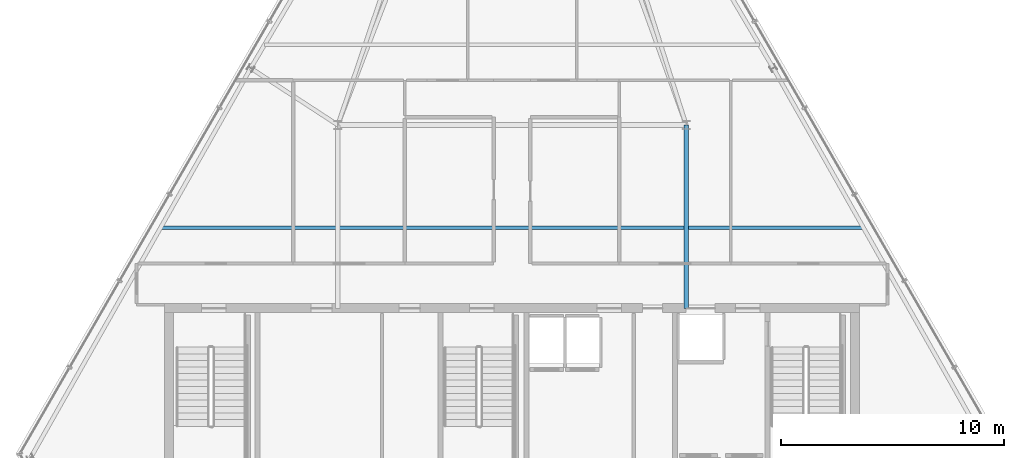
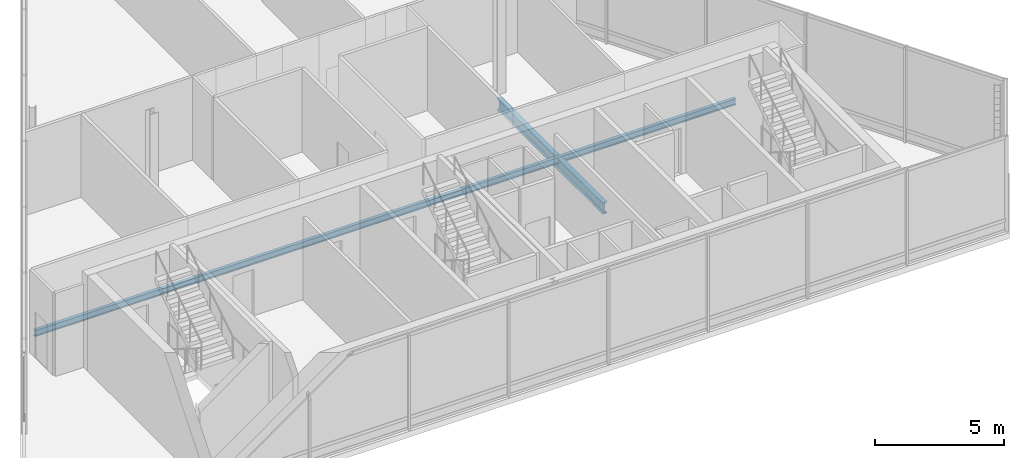
# One storey, part 8 of 25: 2 beams.
"""IFC4 building model written with IfcOpenShell, lengths in metres."""

from ifc_helpers import new_model, si_unit, direction, frame, origin, origin_2d, place, context, subcontext, project, spatial, i_section, extrude, material, material_profile, profile_set, type_object, element, save


model = new_model("IFC4")

# Units and contexts
model_context = context("Model", 3, precision=1e-05, world=origin(), true_north=direction((0.0, 1.0)))
body_context = subcontext(model_context, "Body", "Model", "MODEL_VIEW")
ifc_project = project(units=[si_unit("LENGTHUNIT", "METRE"), si_unit("AREAUNIT", "SQUARE_METRE"), si_unit("VOLUMEUNIT", "CUBIC_METRE"), si_unit("PLANEANGLEUNIT", "RADIAN"), si_unit("MASSUNIT", "GRAM", prefix="KILO")], contexts=[model_context])

# Site, building, storey
site_placement = place(None, origin())
site = spatial("IfcSite", under=ifc_project, at=site_placement, CompositionType="ELEMENT")
building_placement = place(site_placement, origin())
building = spatial("IfcBuilding", under=site, at=building_placement, Name="Ndaravel Arena Tower", CompositionType="ELEMENT")
storey_placement = place(building_placement, frame((0.0, 0.0, 298.5)))
storey = spatial("IfcBuildingStorey", under=building, at=storey_placement, Name="L73", CompositionType="ELEMENT", Elevation=298.5)

# Beams
ifc_material_1 = material(Name="Steel S355", Category="steel")
ifc_material_profile_1 = material_profile(ifc_material_1, i_section(OverallWidth=0.210693359375, OverallDepth=0.53955078125, WebThickness=0.01171875, FlangeThickness=0.018798828125, FilletRadius=0.0126953125, at=origin_2d()), Name="UB 533x210x109")
ifc_profile_set_1 = profile_set([ifc_material_profile_1], Name="Steel S355")
beam_type_1 = type_object("IfcBeamType", Name="BM-GIRD-UB533", PredefinedType="BEAM", material=ifc_profile_set_1)
beam_1_placement = place(storey_placement, frame((49.800048828125, 14.97998046875, -0.5498046875), z_axis=(0.0, 1.0, 0.0), x_axis=(-1.0, 0.0, 0.0)))
element("IfcBeam", 1, at=beam_1_placement, inside=storey, type_object=beam_type_1, Name="L73 Spine Link Girder SLG-02", PredefinedType="BEAM", context=body_context, shape_type="SweptSolid", body=[
    extrude(i_section(OverallWidth=0.210693359375, OverallDepth=0.53955078125, WebThickness=0.01171875, FlangeThickness=0.018798828125, FilletRadius=0.0126953125, at=origin_2d()), origin(), (0.0, 0.0, 1.0), 8.219970703125),
])
ifc_material_2 = material(Name="Steel S355", Category="steel")
ifc_material_profile_2 = material_profile(ifc_material_2, i_section(OverallWidth=0.14990234375, OverallDepth=0.300048828125, WebThickness=0.007080078125, FlangeThickness=0.0107421875, FilletRadius=0.014892578125, at=origin_2d()), Name="IPE 300")
ifc_profile_set_2 = profile_set([ifc_material_profile_2], Name="Steel S355")
beam_type_2 = type_object("IfcBeamType", Name="BM-JOIST-IPE300", PredefinedType="JOIST", material=ifc_profile_set_2)
beam_2_placement = place(storey_placement, frame((26.26318359375, 18.60009765625, -0.429931640625), z_axis=(1.0, 0.0, 0.0), x_axis=(0.0, 1.0, 0.0)))
element("IfcBeam", 2, at=beam_2_placement, inside=storey, type_object=beam_type_2, Name="L73 Composite Floor Joist FJ-01", PredefinedType="JOIST", context=body_context, shape_type="SweptSolid", body=[
    extrude(i_section(OverallWidth=0.14990234375, OverallDepth=0.300048828125, WebThickness=0.007080078125, FlangeThickness=0.0107421875, FilletRadius=0.014892578125, at=origin_2d()), origin(), (0.0, 0.0, 1.0), 31.4736328125),
])

save(model, "model.ifc")
